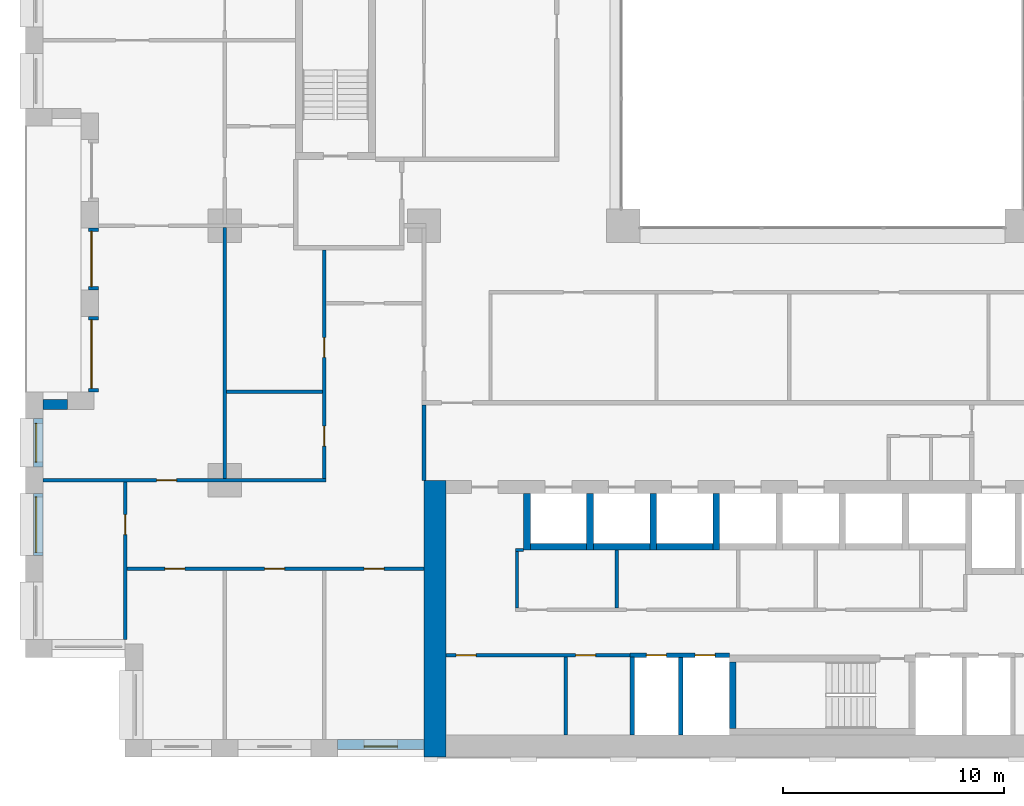
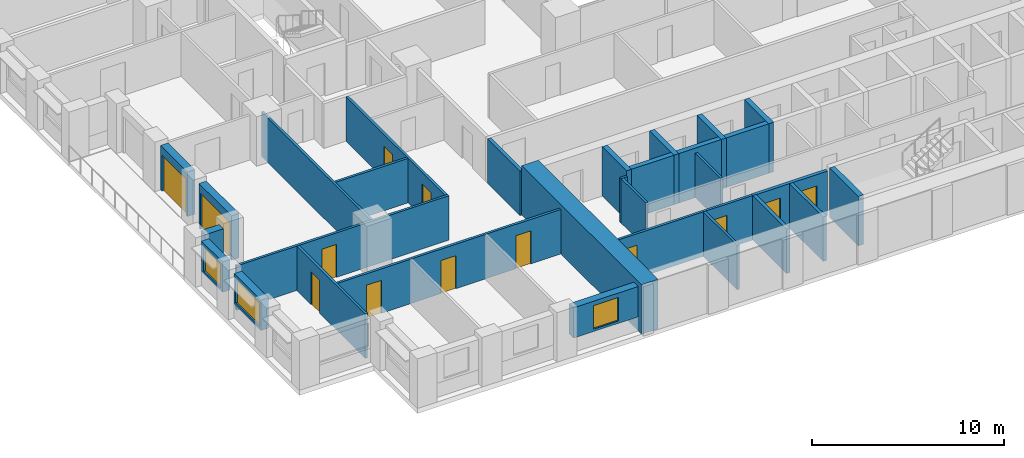
# One storey, part 9 of 19: 30 walls, 13 doors, 3 windows, 16 openings.
"""IFC4 building model written with IfcOpenShell, lengths in metres."""

from ifc_helpers import new_model, si_unit, direction, frame, frame_2d, origin, place, context, subcontext, project, spatial, rectangle, extrude, material, layer, layer_set, type_object, element, fill, save


model = new_model("IFC4")

# Units and contexts
model_context = context("Model", 3, precision=1e-05, world=origin(), true_north=direction((0.0, 1.0)))
body_context = subcontext(model_context, "Body", "Model", "MODEL_VIEW")
ifc_project = project(units=[si_unit("LENGTHUNIT", "METRE"), si_unit("AREAUNIT", "SQUARE_METRE"), si_unit("VOLUMEUNIT", "CUBIC_METRE"), si_unit("PLANEANGLEUNIT", "RADIAN"), si_unit("MASSUNIT", "GRAM", prefix="KILO")], contexts=[model_context])

# Site, building, storey
site_placement = place(None, origin())
site = spatial("IfcSite", under=ifc_project, at=site_placement, CompositionType="ELEMENT")
building_placement = place(site_placement, origin())
building = spatial("IfcBuilding", under=site, at=building_placement, Name="Brigalow Station Residences", CompositionType="ELEMENT")
storey_placement = place(building_placement, frame((0.0, 0.0, 32.10009765625)))
storey = spatial("IfcBuildingStorey", under=building, at=storey_placement, Name="L08", CompositionType="ELEMENT", Elevation=32.10009765625)

# Wall, opening, window
ifc_material_1 = material(Name="Clay brick masonry", Category="masonry")
ifc_layer_1 = layer(ifc_material_1, 0.449951171875)
ifc_layer_set_1 = layer_set([ifc_layer_1], Name="BRICK INFILL WALL 450")
wall_type_1 = type_object("IfcWallType", Name="BRICK INFILL WALL 450", PredefinedType="SOLIDWALL", material=ifc_layer_set_1)
wall_1_placement = place(storey_placement, frame((14.10009765625, 0.574951171875, 0.89990234375), z_axis=(0.0, 0.0, 1.0), x_axis=(1.0, 0.0, 0.0)))
wall_1 = element("IfcWall", 1, at=wall_1_placement, inside=storey, type_object=wall_type_1, Name="L08/ewall/W-L08-3", PredefinedType="SOLIDWALL", context=body_context, shape_type="SweptSolid", body=[
    extrude(rectangle(XDim=3.89990234375, YDim=0.449951171875, at=frame_2d((1.949951171875, 0.0))), origin(), (0.0, 0.0, 1.0), 1.929931640625),
])
opening_1_placement = place(wall_1_placement, frame((1.199951171875, 0.0, 0.14990234375)))
opening_1 = element("IfcOpeningElement", 2, at=opening_1_placement, cuts=wall_1, Name="Opening WT-1", PredefinedType="OPENING", context=body_context, shape_type="SweptSolid", body=[
    extrude(rectangle(XDim=1.5, YDim=1.5, at=frame_2d((0.75, 0.75))), frame((0.0, 0.23486328125, 0.0), z_axis=(0.0, -1.0, 0.0), x_axis=(1.0, 0.0, 0.0)), (0.0, 0.0, 1.0), 0.469970703125),
])
ifc_material_2 = material(Name="Anodised aluminium frame with double glazing", Category="aluminium")
window_type_1 = type_object("IfcWindowType", Name="WINDOW 1500x1500", PartitioningType="SINGLE_PANEL", PredefinedType="WINDOW", material=ifc_material_2)
window_1_placement = place(opening_1_placement, origin())
window_1 = element("IfcWindow", 3, at=window_1_placement, inside=storey, type_object=window_type_1, Name="L08/window/W-L08-3", OverallHeight=1.5, OverallWidth=1.5, PartitioningType="SINGLE_PANEL", PredefinedType="WINDOW", context=body_context, shape_type="SweptSolid", body=[
    extrude(rectangle(XDim=1.5, YDim=1.5, at=frame_2d((0.75, 0.75))), frame((0.0, -0.06494140625, 0.0), z_axis=(0.0, -1.0, 0.0), x_axis=(1.0, 0.0, 0.0)), (0.0, 0.0, 1.0), 0.06005859375),
])
fill(opening_1, window_1)

# Wall, opening, door
wall_2_placement = place(storey_placement, frame((3.074951171875, 23.89990234375, 0.0), z_axis=(0.0, 0.0, 1.0), x_axis=(0.0, -1.0, 0.0)))
wall_2 = element("IfcWall", 4, at=wall_2_placement, inside=storey, type_object=wall_type_1, Name="L08/ewall/W-L08-48", PredefinedType="SOLIDWALL", context=body_context, shape_type="SweptSolid", body=[
    extrude(rectangle(XDim=2.7998046875, YDim=0.449951171875, at=frame_2d((1.39990234375, 0.0))), origin(), (0.0, 0.0, 1.0), 2.829833984375),
])
opening_2_placement = place(wall_2_placement, frame((0.14990234375, 0.0, 0.0)))
opening_2 = element("IfcOpeningElement", 5, at=opening_2_placement, cuts=wall_2, Name="Opening D-B2500", PredefinedType="OPENING", context=body_context, shape_type="SweptSolid", body=[
    extrude(rectangle(XDim=2.5, YDim=2.300048828125, at=frame_2d((1.25, 1.14990234375))), frame((0.0, 0.23486328125, 0.0), z_axis=(0.0, -1.0, 0.0), x_axis=(1.0, 0.0, 0.0)), (0.0, 0.0, 1.0), 0.469970703125),
])
ifc_material_3 = material(Name="Anodised aluminium frame with double glazing", Category="aluminium")
door_type_1 = type_object("IfcDoorType", Name="BALCONY SLIDING DOOR 2500x2300", OperationType="SLIDING_TO_LEFT", PredefinedType="DOOR", material=ifc_material_3)
door_1_placement = place(opening_2_placement, origin())
door_1 = element("IfcDoor", 6, at=door_1_placement, inside=storey, type_object=door_type_1, Name="L08/balcony-door/W-L08-48", OperationType="SLIDING_TO_LEFT", OverallHeight=2.300048828125, OverallWidth=2.5, PredefinedType="DOOR", context=body_context, shape_type="SweptSolid", body=[
    extrude(rectangle(XDim=2.5, YDim=2.300048828125, at=frame_2d((1.25, 1.14990234375))), frame((0.0, -0.06982421875, 0.0), z_axis=(0.0, -1.0, 0.0), x_axis=(1.0, 0.0, 0.0)), (0.0, 0.0, 1.0), 0.050048828125),
])
fill(opening_2, door_1)

wall_3_placement = place(storey_placement, frame((3.074951171875, 19.89990234375, 0.0), z_axis=(0.0, 0.0, 1.0), x_axis=(0.0, -1.0, 0.0)))
wall_3 = element("IfcWall", 7, at=wall_3_placement, inside=storey, type_object=wall_type_1, Name="L08/ewall/W-L08-49", PredefinedType="SOLIDWALL", context=body_context, shape_type="SweptSolid", body=[
    extrude(rectangle(XDim=3.39990234375, YDim=0.449951171875, at=frame_2d((1.699951171875, 0.0))), origin(), (0.0, 0.0, 1.0), 2.829833984375),
])
opening_3_placement = place(wall_3_placement, frame((0.14990234375, 0.0, 0.0)))
opening_3 = element("IfcOpeningElement", 8, at=opening_3_placement, cuts=wall_3, Name="Opening D-B3100", PredefinedType="OPENING", context=body_context, shape_type="SweptSolid", body=[
    extrude(rectangle(XDim=3.10009765625, YDim=2.300048828125, at=frame_2d((1.550048828125, 1.14990234375))), frame((0.0, 0.23486328125, 0.0), z_axis=(0.0, -1.0, 0.0), x_axis=(1.0, 0.0, 0.0)), (0.0, 0.0, 1.0), 0.469970703125),
])
ifc_material_4 = material(Name="Anodised aluminium frame with double glazing", Category="aluminium")
door_type_2 = type_object("IfcDoorType", Name="BALCONY SLIDING DOOR 3100x2300", OperationType="SLIDING_TO_LEFT", PredefinedType="DOOR", material=ifc_material_4)
door_2_placement = place(opening_3_placement, origin())
door_2 = element("IfcDoor", 9, at=door_2_placement, inside=storey, type_object=door_type_2, Name="L08/balcony-door/W-L08-49", OperationType="SLIDING_TO_LEFT", OverallHeight=2.300048828125, OverallWidth=3.10009765625, PredefinedType="DOOR", context=body_context, shape_type="SweptSolid", body=[
    extrude(rectangle(XDim=3.10009765625, YDim=2.300048828125, at=frame_2d((1.550048828125, 1.14990234375))), frame((0.0, -0.06982421875, 0.0), z_axis=(0.0, -1.0, 0.0), x_axis=(1.0, 0.0, 0.0)), (0.0, 0.0, 1.0), 0.050048828125),
])
fill(opening_3, door_2)

# Wall
wall_4_placement = place(storey_placement, frame((1.89990234375, 15.925048828125, 0.89990234375), z_axis=(0.0, 0.0, 1.0), x_axis=(-1.0, 0.0, 0.0)))
element("IfcWall", 10, at=wall_4_placement, inside=storey, type_object=wall_type_1, Name="L08/ewall/W-L08-50", PredefinedType="SOLIDWALL", context=body_context, shape_type="SweptSolid", body=[
    extrude(rectangle(XDim=1.099853515625, YDim=0.449951171875, at=frame_2d((0.5498046875, 0.0))), origin(), (0.0, 0.0, 1.0), 1.929931640625),
])

# Wall, opening, window
wall_5_placement = place(storey_placement, frame((0.574951171875, 15.300048828125, 0.89990234375), z_axis=(0.0, 0.0, 1.0), x_axis=(0.0, -1.0, 0.0)))
wall_5 = element("IfcWall", 11, at=wall_5_placement, inside=storey, type_object=wall_type_1, Name="L08/ewall/W-L08-51", PredefinedType="SOLIDWALL", context=body_context, shape_type="SweptSolid", body=[
    extrude(rectangle(XDim=2.199951171875, YDim=0.449951171875, at=frame_2d((1.10009765625, 0.0))), origin(), (0.0, 0.0, 1.0), 1.929931640625),
])
opening_4_placement = place(wall_5_placement, frame((0.22509765625, 0.0, 0.14990234375)))
opening_4 = element("IfcOpeningElement", 12, at=opening_4_placement, cuts=wall_5, Name="Opening WT-4", PredefinedType="OPENING", context=body_context, shape_type="SweptSolid", body=[
    extrude(rectangle(XDim=1.75, YDim=1.5, at=frame_2d((0.875, 0.75))), frame((0.0, 0.23486328125, 0.0), z_axis=(0.0, -1.0, 0.0), x_axis=(1.0, 0.0, 0.0)), (0.0, 0.0, 1.0), 0.469970703125),
])
ifc_material_5 = material(Name="Anodised aluminium frame with double glazing", Category="aluminium")
window_type_2 = type_object("IfcWindowType", Name="WINDOW 1750x1500", PartitioningType="SINGLE_PANEL", PredefinedType="WINDOW", material=ifc_material_5)
window_2_placement = place(opening_4_placement, origin())
window_2 = element("IfcWindow", 13, at=window_2_placement, inside=storey, type_object=window_type_2, Name="L08/window/W-L08-51", OverallHeight=1.5, OverallWidth=1.75, PartitioningType="SINGLE_PANEL", PredefinedType="WINDOW", context=body_context, shape_type="SweptSolid", body=[
    extrude(rectangle(XDim=1.75, YDim=1.5, at=frame_2d((0.875, 0.75))), frame((0.0, -0.06494140625, 0.0), z_axis=(0.0, -1.0, 0.0), x_axis=(1.0, 0.0, 0.0)), (0.0, 0.0, 1.0), 0.06005859375),
])
fill(opening_4, window_2)

wall_6_placement = place(storey_placement, frame((0.574951171875, 11.89990234375, 0.89990234375), z_axis=(0.0, 0.0, 1.0), x_axis=(0.0, -1.0, 0.0)))
wall_6 = element("IfcWall", 14, at=wall_6_placement, inside=storey, type_object=wall_type_1, Name="L08/ewall/W-L08-52", PredefinedType="SOLIDWALL", context=body_context, shape_type="SweptSolid", body=[
    extrude(rectangle(XDim=2.7998046875, YDim=0.449951171875, at=frame_2d((1.39990234375, 0.0))), origin(), (0.0, 0.0, 1.0), 1.929931640625),
])
opening_5_placement = place(wall_6_placement, frame((0.14990234375, 0.0, 0.14990234375)))
opening_5 = element("IfcOpeningElement", 15, at=opening_5_placement, cuts=wall_6, Name="Opening WT-5", PredefinedType="OPENING", context=body_context, shape_type="SweptSolid", body=[
    extrude(rectangle(XDim=2.5, YDim=1.5, at=frame_2d((1.25, 0.75))), frame((0.0, 0.23486328125, 0.0), z_axis=(0.0, -1.0, 0.0), x_axis=(1.0, 0.0, 0.0)), (0.0, 0.0, 1.0), 0.469970703125),
])
ifc_material_6 = material(Name="Anodised aluminium frame with double glazing", Category="aluminium")
window_type_3 = type_object("IfcWindowType", Name="WINDOW 2500x1500", PartitioningType="SINGLE_PANEL", PredefinedType="WINDOW", material=ifc_material_6)
window_3_placement = place(opening_5_placement, origin())
window_3 = element("IfcWindow", 16, at=window_3_placement, inside=storey, type_object=window_type_3, Name="L08/window/W-L08-52", OverallHeight=1.5, OverallWidth=2.5, PartitioningType="SINGLE_PANEL", PredefinedType="WINDOW", context=body_context, shape_type="SweptSolid", body=[
    extrude(rectangle(XDim=2.5, YDim=1.5, at=frame_2d((1.25, 0.75))), frame((0.0, -0.06494140625, 0.0), z_axis=(0.0, -1.0, 0.0), x_axis=(1.0, 0.0, 0.0)), (0.0, 0.0, 1.0), 0.06005859375),
])
fill(opening_5, window_3)

# Walls
ifc_material_7 = material(Name="Concrete C80", Category="concrete")
ifc_layer_2 = layer(ifc_material_7, 1.0)
ifc_layer_set_2 = layer_set([ifc_layer_2], Name="CORE SHEAR WALL 1000 C80")
wall_type_2 = type_object("IfcWallType", Name="CORE SHEAR WALL 1000 C80", PredefinedType="SHEAR", material=ifc_layer_set_2)
wall_7_placement = place(storey_placement, frame((18.5, 0.0, 0.0), z_axis=(0.0, 0.0, 1.0), x_axis=(0.0, 1.0, 0.0)))
element("IfcWall", 17, at=wall_7_placement, inside=storey, type_object=wall_type_2, Name="CORE WALL OUT-W L08", PredefinedType="SHEAR", context=body_context, shape_type="SweptSolid", body=[
    extrude(rectangle(XDim=12.5, YDim=1.0, at=frame_2d((6.25, 0.0))), origin(), (0.0, 0.0, 1.0), 3.14990234375),
])
ifc_material_8 = material(Name="Concrete C80", Category="concrete")
ifc_layer_3 = layer(ifc_material_8, 0.300048828125)
ifc_layer_set_3 = layer_set([ifc_layer_3], Name="CORE SHEAR WALL 300 C80")
wall_type_3 = type_object("IfcWallType", Name="CORE SHEAR WALL 300 C80", PredefinedType="SHEAR", material=ifc_layer_set_3)
wall_8_placement = place(storey_placement, frame((22.800048828125, 9.5, 0.0), z_axis=(0.0, 0.0, 1.0), x_axis=(1.0, 0.0, 0.0)))
element("IfcWall", 18, at=wall_8_placement, inside=storey, type_object=wall_type_3, Name="CORE WALL SH-P1-S L08", PredefinedType="SHEAR", context=body_context, shape_type="SweptSolid", body=[
    extrude(rectangle(XDim=2.550048828125, YDim=0.300048828125, at=frame_2d((1.27490234375, 0.0))), origin(), (0.0, 0.0, 1.0), 3.14990234375),
])
wall_9_placement = place(storey_placement, frame((22.64990234375, 9.35009765625, 0.0), z_axis=(0.0, 0.0, 1.0), x_axis=(0.0, 1.0, 0.0)))
element("IfcWall", 19, at=wall_9_placement, inside=storey, type_object=wall_type_3, Name="CORE WALL SH-P1-W L08", PredefinedType="SHEAR", context=body_context, shape_type="SweptSolid", body=[
    extrude(rectangle(XDim=2.5498046875, YDim=0.300048828125, at=frame_2d((1.27490234375, 0.0))), origin(), (0.0, 0.0, 1.0), 3.14990234375),
])
wall_10_placement = place(storey_placement, frame((25.64990234375, 9.5, 0.0), z_axis=(0.0, 0.0, 1.0), x_axis=(1.0, 0.0, 0.0)))
element("IfcWall", 20, at=wall_10_placement, inside=storey, type_object=wall_type_3, Name="CORE WALL SH-P2-S L08", PredefinedType="SHEAR", context=body_context, shape_type="SweptSolid", body=[
    extrude(rectangle(XDim=2.550048828125, YDim=0.300048828125, at=frame_2d((1.27490234375, 0.0))), origin(), (0.0, 0.0, 1.0), 3.14990234375),
])
wall_11_placement = place(storey_placement, frame((25.5, 9.35009765625, 0.0), z_axis=(0.0, 0.0, 1.0), x_axis=(0.0, 1.0, 0.0)))
element("IfcWall", 21, at=wall_11_placement, inside=storey, type_object=wall_type_3, Name="CORE WALL SH-P2-W L08", PredefinedType="SHEAR", context=body_context, shape_type="SweptSolid", body=[
    extrude(rectangle(XDim=2.5498046875, YDim=0.300048828125, at=frame_2d((1.27490234375, 0.0))), origin(), (0.0, 0.0, 1.0), 3.14990234375),
])
wall_12_placement = place(storey_placement, frame((28.5, 9.5, 0.0), z_axis=(0.0, 0.0, 1.0), x_axis=(1.0, 0.0, 0.0)))
element("IfcWall", 22, at=wall_12_placement, inside=storey, type_object=wall_type_3, Name="CORE WALL SH-P3-S L08", PredefinedType="SHEAR", context=body_context, shape_type="SweptSolid", body=[
    extrude(rectangle(XDim=2.550048828125, YDim=0.300048828125, at=frame_2d((1.27490234375, 0.0))), origin(), (0.0, 0.0, 1.0), 3.14990234375),
])
for number, where, z_axis, x_axis, name in (
    (23, (28.35009765625, 9.35009765625, 0.0), (0.0, 0.0, 1.0), (0.0, 1.0, 0.0), "CORE WALL SH-P3-W L08"),
    (24, (31.199951171875, 9.35009765625, 0.0), (0.0, 0.0, 1.0), (0.0, 1.0, 0.0), "CORE WALL SH-P4-W L08"),
):
    element("IfcWall", number, at=place(storey_placement, frame(where, z_axis=z_axis, x_axis=x_axis)), inside=storey, type_object=wall_type_3, Name=name, PredefinedType="SHEAR", context=body_context, shape_type="SweptSolid", body=[
        extrude(rectangle(XDim=2.5498046875, YDim=0.300048828125, at=frame_2d((1.27490234375, 0.0))), origin(), (0.0, 0.0, 1.0), 3.14990234375),
    ])
wall_13_placement = place(storey_placement, frame((31.949951171875, 1.300048828125, 0.0), z_axis=(0.0, 0.0, 1.0), x_axis=(0.0, 1.0, 0.0)))
element("IfcWall", 25, at=wall_13_placement, inside=storey, type_object=wall_type_3, Name="CORE WALL ST-S2-W L08", PredefinedType="SHEAR", context=body_context, shape_type="SweptSolid", body=[
    extrude(rectangle(XDim=3.0, YDim=0.300048828125, at=frame_2d((1.5, 0.0))), origin(), (0.0, 0.0, 1.0), 3.14990234375),
])

# Wall, openings, doors
ifc_material_9 = material(Name="Concrete blockwork", Category="masonry")
ifc_layer_4 = layer(ifc_material_9, 0.199951171875)
ifc_layer_set_4 = layer_set([ifc_layer_4], Name="FIRE RATED CORE PARTITION 200")
wall_type_4 = type_object("IfcWallType", Name="FIRE RATED CORE PARTITION 200", PredefinedType="PARTITIONING", material=ifc_layer_set_4)
wall_14_placement = place(storey_placement, frame((27.300048828125, 4.60009765625, 0.0), z_axis=(0.0, 0.0, 1.0), x_axis=(1.0, 0.0, 0.0)))
wall_14 = element("IfcWall", 26, at=wall_14_placement, inside=storey, type_object=wall_type_4, Name="PW-5017", PredefinedType="PARTITIONING", context=body_context, shape_type="SweptSolid", body=[
    extrude(rectangle(XDim=4.5, YDim=0.199951171875, at=frame_2d((2.25, 0.0))), origin(), (0.0, 0.0, 1.0), 2.829833984375),
])
opening_6_placement = place(wall_14_placement, frame((0.75, 0.0, 0.0)))
opening_6 = element("IfcOpeningElement", 27, at=opening_6_placement, cuts=wall_14, Name="Opening D-5007", PredefinedType="OPENING", context=body_context, shape_type="SweptSolid", body=[
    extrude(rectangle(XDim=0.89990234375, YDim=2.10009765625, at=frame_2d((0.449951171875, 1.050048828125))), frame((0.0, 0.10986328125, 0.0), z_axis=(0.0, -1.0, 0.0), x_axis=(1.0, 0.0, 0.0)), (0.0, 0.0, 1.0), 0.219970703125),
])
opening_7_placement = place(wall_14_placement, frame((2.949951171875, 0.0, 0.0)))
opening_7 = element("IfcOpeningElement", 28, at=opening_7_placement, cuts=wall_14, Name="Opening D-5008", PredefinedType="OPENING", context=body_context, shape_type="SweptSolid", body=[
    extrude(rectangle(XDim=0.89990234375, YDim=2.10009765625, at=frame_2d((0.449951171875, 1.050048828125))), frame((0.0, 0.10986328125, 0.0), z_axis=(0.0, -1.0, 0.0), x_axis=(1.0, 0.0, 0.0)), (0.0, 0.0, 1.0), 0.219970703125),
])
ifc_material_10 = material(Name="Steel fire door leaf in steel frame", Category="steel")
door_type_3 = type_object("IfcDoorType", Name="RISER ACCESS DOOR 900 x 2100 FD120", OperationType="SINGLE_SWING_LEFT", PredefinedType="DOOR", material=ifc_material_10)
door_3_placement = place(opening_6_placement, frame((0.89990234375, 0.0, 0.0), z_axis=(0.0, 0.0, 1.0), x_axis=(-1.0, 0.0, 0.0)))
door_3 = element("IfcDoor", 29, at=door_3_placement, inside=storey, type_object=door_type_3, Name="D-5007", OperationType="SINGLE_SWING_LEFT", OverallHeight=2.10009765625, OverallWidth=0.89990234375, PredefinedType="DOOR", context=body_context, shape_type="SweptSolid", body=[
    extrude(rectangle(XDim=0.89990234375, YDim=2.10009765625, at=frame_2d((0.449951171875, 1.050048828125))), frame((0.0, 0.02490234375, 0.0), z_axis=(0.0, -1.0, 0.0), x_axis=(1.0, 0.0, 0.0)), (0.0, 0.0, 1.0), 0.050048828125),
])
fill(opening_6, door_3)
door_4_placement = place(opening_7_placement, frame((0.89990234375, 0.0, 0.0), z_axis=(0.0, 0.0, 1.0), x_axis=(-1.0, 0.0, 0.0)))
door_4 = element("IfcDoor", 30, at=door_4_placement, inside=storey, type_object=door_type_3, Name="D-5008", OperationType="SINGLE_SWING_RIGHT", OverallHeight=2.10009765625, OverallWidth=0.89990234375, PredefinedType="DOOR", context=body_context, shape_type="SweptSolid", body=[
    extrude(rectangle(XDim=0.89990234375, YDim=2.10009765625, at=frame_2d((0.449951171875, 1.050048828125))), frame((0.0, 0.02490234375, 0.0), z_axis=(0.0, -1.0, 0.0), x_axis=(1.0, 0.0, 0.0)), (0.0, 0.0, 1.0), 0.050048828125),
])
fill(opening_7, door_4)

# Walls
wall_15_placement = place(storey_placement, frame((27.39990234375, 1.0, 0.0), z_axis=(0.0, 0.0, 1.0), x_axis=(0.0, 1.0, 0.0)))
element("IfcWall", 31, at=wall_15_placement, inside=storey, type_object=wall_type_4, Name="PW-5027", PredefinedType="PARTITIONING", context=body_context, shape_type="SweptSolid", body=[
    extrude(rectangle(XDim=3.52490234375, YDim=0.199951171875, at=frame_2d((1.762451171875, 0.0))), origin(), (0.0, 0.0, 1.0), 2.829833984375),
])
wall_16_placement = place(storey_placement, frame((29.60009765625, 1.0, 0.0), z_axis=(0.0, 0.0, 1.0), x_axis=(0.0, 1.0, 0.0)))
element("IfcWall", 32, at=wall_16_placement, inside=storey, type_object=wall_type_4, Name="PW-5006", PredefinedType="PARTITIONING", context=body_context, shape_type="SweptSolid", body=[
    extrude(rectangle(XDim=3.5, YDim=0.199951171875, at=frame_2d((1.75, 0.0))), origin(), (0.0, 0.0, 1.0), 2.829833984375),
])
wall_17_placement = place(storey_placement, frame((18.0, 12.5, 0.0), z_axis=(0.0, 0.0, 1.0), x_axis=(0.0, 1.0, 0.0)))
element("IfcWall", 33, at=wall_17_placement, inside=storey, type_object=wall_type_4, Name="PW-5013", PredefinedType="PARTITIONING", context=body_context, shape_type="SweptSolid", body=[
    extrude(rectangle(XDim=3.39990234375, YDim=0.199951171875, at=frame_2d((1.699951171875, 0.0))), origin(), (0.0, 0.0, 1.0), 2.829833984375),
])

# Wall, opening, door
ifc_material_11 = material(Name="Plasterboard on steel stud partition", Category="steel")
ifc_layer_5 = layer(ifc_material_11, 0.14990234375)
ifc_layer_set_5 = layer_set([ifc_layer_5], Name="FLAT PARTITION 150")
wall_type_5 = type_object("IfcWallType", Name="FLAT PARTITION 150", PredefinedType="PARTITIONING", material=ifc_layer_set_5)
wall_18_placement = place(storey_placement, frame((0.800048828125, 12.5, 0.0), z_axis=(0.0, 0.0, 1.0), x_axis=(1.0, 0.0, 0.0)))
wall_18 = element("IfcWall", 34, at=wall_18_placement, inside=storey, type_object=wall_type_5, Name="PW-1B10", PredefinedType="PARTITIONING", context=body_context, shape_type="SweptSolid", body=[
    extrude(rectangle(XDim=12.77490234375, YDim=0.14990234375, at=frame_2d((6.387451171875, 0.0))), origin(), (0.0, 0.0, 1.0), 2.829833984375),
])
opening_8_placement = place(wall_18_placement, frame((5.125, 0.0, 0.0)))
opening_8 = element("IfcOpeningElement", 35, at=opening_8_placement, cuts=wall_18, Name="Opening D-1B12", PredefinedType="OPENING", context=body_context, shape_type="SweptSolid", body=[
    extrude(rectangle(XDim=0.89990234375, YDim=2.10009765625, at=frame_2d((0.449951171875, 1.050048828125))), frame((0.0, 0.0849609375, 0.0), z_axis=(0.0, -1.0, 0.0), x_axis=(1.0, 0.0, 0.0)), (0.0, 0.0, 1.0), 0.169921875),
])
ifc_material_12 = material(Name="Solid-core timber door leaf", Category="wood")
door_type_4 = type_object("IfcDoorType", Name="INTERNAL DOOR 900 x 2100", OperationType="SINGLE_SWING_LEFT", PredefinedType="DOOR", material=ifc_material_12)
door_5_placement = place(opening_8_placement, origin())
door_5 = element("IfcDoor", 36, at=door_5_placement, inside=storey, type_object=door_type_4, Name="D-1B12", OperationType="SINGLE_SWING_RIGHT", OverallHeight=2.10009765625, OverallWidth=0.89990234375, PredefinedType="DOOR", context=body_context, shape_type="SweptSolid", body=[
    extrude(rectangle(XDim=0.89990234375, YDim=2.10009765625, at=frame_2d((0.449951171875, 1.050048828125))), frame((0.0, 0.02490234375, 0.0), z_axis=(0.0, -1.0, 0.0), x_axis=(1.0, 0.0, 0.0)), (0.0, 0.0, 1.0), 0.050048828125),
])
fill(opening_8, door_5)

# Wall, openings, doors
wall_19_placement = place(storey_placement, frame((4.574951171875, 8.5, 0.0), z_axis=(0.0, 0.0, 1.0), x_axis=(1.0, 0.0, 0.0)))
wall_19 = element("IfcWall", 37, at=wall_19_placement, inside=storey, type_object=wall_type_5, Name="PW-1B12", PredefinedType="PARTITIONING", context=body_context, shape_type="SweptSolid", body=[
    extrude(rectangle(XDim=13.425048828125, YDim=0.14990234375, at=frame_2d((6.71240234375, 0.0))), origin(), (0.0, 0.0, 1.0), 2.829833984375),
])
opening_9_placement = place(wall_19_placement, frame((1.72509765625, 0.0, 0.0)))
opening_9 = element("IfcOpeningElement", 38, at=opening_9_placement, cuts=wall_19, Name="Opening D-1B04", PredefinedType="OPENING", context=body_context, shape_type="SweptSolid", body=[
    extrude(rectangle(XDim=0.89990234375, YDim=2.10009765625, at=frame_2d((0.449951171875, 1.050048828125))), frame((0.0, 0.0849609375, 0.0), z_axis=(0.0, -1.0, 0.0), x_axis=(1.0, 0.0, 0.0)), (0.0, 0.0, 1.0), 0.169921875),
])
opening_10_placement = place(wall_19_placement, frame((6.22509765625, 0.0, 0.0)))
opening_10 = element("IfcOpeningElement", 39, at=opening_10_placement, cuts=wall_19, Name="Opening D-1B05", PredefinedType="OPENING", context=body_context, shape_type="SweptSolid", body=[
    extrude(rectangle(XDim=0.89990234375, YDim=2.10009765625, at=frame_2d((0.449951171875, 1.050048828125))), frame((0.0, 0.0849609375, 0.0), z_axis=(0.0, -1.0, 0.0), x_axis=(1.0, 0.0, 0.0)), (0.0, 0.0, 1.0), 0.169921875),
])
opening_11_placement = place(wall_19_placement, frame((10.72509765625, 0.0, 0.0)))
opening_11 = element("IfcOpeningElement", 40, at=opening_11_placement, cuts=wall_19, Name="Opening D-1B06", PredefinedType="OPENING", context=body_context, shape_type="SweptSolid", body=[
    extrude(rectangle(XDim=0.89990234375, YDim=2.10009765625, at=frame_2d((0.449951171875, 1.050048828125))), frame((0.0, 0.0849609375, 0.0), z_axis=(0.0, -1.0, 0.0), x_axis=(1.0, 0.0, 0.0)), (0.0, 0.0, 1.0), 0.169921875),
])
door_6_placement = place(opening_9_placement, frame((0.89990234375, 0.0, 0.0), z_axis=(0.0, 0.0, 1.0), x_axis=(-1.0, 0.0, 0.0)))
door_6 = element("IfcDoor", 41, at=door_6_placement, inside=storey, type_object=door_type_4, Name="D-1B04", OperationType="SINGLE_SWING_RIGHT", OverallHeight=2.10009765625, OverallWidth=0.89990234375, PredefinedType="DOOR", context=body_context, shape_type="SweptSolid", body=[
    extrude(rectangle(XDim=0.89990234375, YDim=2.10009765625, at=frame_2d((0.449951171875, 1.050048828125))), frame((0.0, 0.02490234375, 0.0), z_axis=(0.0, -1.0, 0.0), x_axis=(1.0, 0.0, 0.0)), (0.0, 0.0, 1.0), 0.050048828125),
])
fill(opening_9, door_6)
door_7_placement = place(opening_10_placement, frame((0.89990234375, 0.0, 0.0), z_axis=(0.0, 0.0, 1.0), x_axis=(-1.0, 0.0, 0.0)))
door_7 = element("IfcDoor", 42, at=door_7_placement, inside=storey, type_object=door_type_4, Name="D-1B05", OperationType="SINGLE_SWING_RIGHT", OverallHeight=2.10009765625, OverallWidth=0.89990234375, PredefinedType="DOOR", context=body_context, shape_type="SweptSolid", body=[
    extrude(rectangle(XDim=0.89990234375, YDim=2.10009765625, at=frame_2d((0.449951171875, 1.050048828125))), frame((0.0, 0.02490234375, 0.0), z_axis=(0.0, -1.0, 0.0), x_axis=(1.0, 0.0, 0.0)), (0.0, 0.0, 1.0), 0.050048828125),
])
fill(opening_10, door_7)
door_8_placement = place(opening_11_placement, frame((0.89990234375, 0.0, 0.0), z_axis=(0.0, 0.0, 1.0), x_axis=(-1.0, 0.0, 0.0)))
door_8 = element("IfcDoor", 43, at=door_8_placement, inside=storey, type_object=door_type_4, Name="D-1B06", OperationType="SINGLE_SWING_RIGHT", OverallHeight=2.10009765625, OverallWidth=0.89990234375, PredefinedType="DOOR", context=body_context, shape_type="SweptSolid", body=[
    extrude(rectangle(XDim=0.89990234375, YDim=2.10009765625, at=frame_2d((0.449951171875, 1.050048828125))), frame((0.0, 0.02490234375, 0.0), z_axis=(0.0, -1.0, 0.0), x_axis=(1.0, 0.0, 0.0)), (0.0, 0.0, 1.0), 0.050048828125),
])
fill(opening_11, door_8)

# Wall
wall_20_placement = place(storey_placement, frame((9.074951171875, 16.5, 0.0), z_axis=(0.0, 0.0, 1.0), x_axis=(1.0, 0.0, 0.0)))
element("IfcWall", 44, at=wall_20_placement, inside=storey, type_object=wall_type_5, Name="PW-1B15", PredefinedType="PARTITIONING", context=body_context, shape_type="SweptSolid", body=[
    extrude(rectangle(XDim=4.35009765625, YDim=0.14990234375, at=frame_2d((2.175048828125, 0.0))), origin(), (0.0, 0.0, 1.0), 2.829833984375),
])

# Wall, opening, door
wall_21_placement = place(storey_placement, frame((4.5, 5.300048828125, 0.0), z_axis=(0.0, 0.0, 1.0), x_axis=(0.0, 1.0, 0.0)))
wall_21 = element("IfcWall", 45, at=wall_21_placement, inside=storey, type_object=wall_type_5, Name="PW-1B49", PredefinedType="PARTITIONING", context=body_context, shape_type="SweptSolid", body=[
    extrude(rectangle(XDim=7.125, YDim=0.14990234375, at=frame_2d((3.5625, 0.0))), origin(), (0.0, 0.0, 1.0), 2.829833984375),
])
opening_12_placement = place(wall_21_placement, frame((4.75, 0.0, 0.0)))
opening_12 = element("IfcOpeningElement", 46, at=opening_12_placement, cuts=wall_21, Name="Opening D-1B10", PredefinedType="OPENING", context=body_context, shape_type="SweptSolid", body=[
    extrude(rectangle(XDim=0.89990234375, YDim=2.10009765625, at=frame_2d((0.449951171875, 1.050048828125))), frame((0.0, 0.0849609375, 0.0), z_axis=(0.0, -1.0, 0.0), x_axis=(1.0, 0.0, 0.0)), (0.0, 0.0, 1.0), 0.169921875),
])
door_9_placement = place(opening_12_placement, origin())
door_9 = element("IfcDoor", 47, at=door_9_placement, inside=storey, type_object=door_type_4, Name="D-1B10", OperationType="SINGLE_SWING_RIGHT", OverallHeight=2.10009765625, OverallWidth=0.89990234375, PredefinedType="DOOR", context=body_context, shape_type="SweptSolid", body=[
    extrude(rectangle(XDim=0.89990234375, YDim=2.10009765625, at=frame_2d((0.449951171875, 1.050048828125))), frame((0.0, 0.02490234375, 0.0), z_axis=(0.0, -1.0, 0.0), x_axis=(1.0, 0.0, 0.0)), (0.0, 0.0, 1.0), 0.050048828125),
])
fill(opening_12, door_9)

# Wall
wall_22_placement = place(storey_placement, frame((9.0, 12.574951171875, 0.0), z_axis=(0.0, 0.0, 1.0), x_axis=(0.0, 1.0, 0.0)))
element("IfcWall", 48, at=wall_22_placement, inside=storey, type_object=wall_type_5, Name="PW-1B51", PredefinedType="PARTITIONING", context=body_context, shape_type="SweptSolid", body=[
    extrude(rectangle(XDim=11.35009765625, YDim=0.14990234375, at=frame_2d((5.675048828125, 0.0))), origin(), (0.0, 0.0, 1.0), 2.829833984375),
])

# Wall, openings, doors
wall_23_placement = place(storey_placement, frame((13.5, 12.574951171875, 0.0), z_axis=(0.0, 0.0, 1.0), x_axis=(0.0, 1.0, 0.0)))
wall_23 = element("IfcWall", 49, at=wall_23_placement, inside=storey, type_object=wall_type_5, Name="PW-1B57", PredefinedType="PARTITIONING", context=body_context, shape_type="SweptSolid", body=[
    extrude(rectangle(XDim=10.324951171875, YDim=0.14990234375, at=frame_2d((5.16259765625, 0.0))), origin(), (0.0, 0.0, 1.0), 2.829833984375),
])
opening_13_placement = place(wall_23_placement, frame((1.47509765625, 0.0, 0.0)))
opening_13 = element("IfcOpeningElement", 50, at=opening_13_placement, cuts=wall_23, Name="Opening D-1B03", PredefinedType="OPENING", context=body_context, shape_type="SweptSolid", body=[
    extrude(rectangle(XDim=0.89990234375, YDim=2.10009765625, at=frame_2d((0.449951171875, 1.050048828125))), frame((0.0, 0.0849609375, 0.0), z_axis=(0.0, -1.0, 0.0), x_axis=(1.0, 0.0, 0.0)), (0.0, 0.0, 1.0), 0.169921875),
])
opening_14_placement = place(wall_23_placement, frame((5.47509765625, 0.0, 0.0)))
opening_14 = element("IfcOpeningElement", 51, at=opening_14_placement, cuts=wall_23, Name="Opening D-1B11", PredefinedType="OPENING", context=body_context, shape_type="SweptSolid", body=[
    extrude(rectangle(XDim=0.89990234375, YDim=2.10009765625, at=frame_2d((0.449951171875, 1.050048828125))), frame((0.0, 0.0849609375, 0.0), z_axis=(0.0, -1.0, 0.0), x_axis=(1.0, 0.0, 0.0)), (0.0, 0.0, 1.0), 0.169921875),
])
door_10_placement = place(opening_13_placement, origin())
door_10 = element("IfcDoor", 52, at=door_10_placement, inside=storey, type_object=door_type_4, Name="D-1B03", OperationType="SINGLE_SWING_RIGHT", OverallHeight=2.10009765625, OverallWidth=0.89990234375, PredefinedType="DOOR", context=body_context, shape_type="SweptSolid", body=[
    extrude(rectangle(XDim=0.89990234375, YDim=2.10009765625, at=frame_2d((0.449951171875, 1.050048828125))), frame((0.0, 0.02490234375, 0.0), z_axis=(0.0, -1.0, 0.0), x_axis=(1.0, 0.0, 0.0)), (0.0, 0.0, 1.0), 0.050048828125),
])
fill(opening_13, door_10)
door_11_placement = place(opening_14_placement, origin())
door_11 = element("IfcDoor", 53, at=door_11_placement, inside=storey, type_object=door_type_4, Name="D-1B11", OperationType="SINGLE_SWING_LEFT", OverallHeight=2.10009765625, OverallWidth=0.89990234375, PredefinedType="DOOR", context=body_context, shape_type="SweptSolid", body=[
    extrude(rectangle(XDim=0.89990234375, YDim=2.10009765625, at=frame_2d((0.449951171875, 1.050048828125))), frame((0.0, 0.02490234375, 0.0), z_axis=(0.0, -1.0, 0.0), x_axis=(1.0, 0.0, 0.0)), (0.0, 0.0, 1.0), 0.050048828125),
])
fill(opening_14, door_11)

ifc_material_13 = material(Name="Plasterboard on steel studs", Category="steel")
ifc_layer_6 = layer(ifc_material_13, 0.14990234375)
ifc_layer_set_6 = layer_set([ifc_layer_6], Name="SERVICE ROOM PARTITION 150")
wall_type_6 = type_object("IfcWallType", Name="SERVICE ROOM PARTITION 150", PredefinedType="PARTITIONING", material=ifc_layer_set_6)
wall_24_placement = place(storey_placement, frame((19.0, 4.60009765625, 0.0), z_axis=(0.0, 0.0, 1.0), x_axis=(1.0, 0.0, 0.0)))
wall_24 = element("IfcWall", 54, at=wall_24_placement, inside=storey, type_object=wall_type_6, Name="PW-5019", PredefinedType="PARTITIONING", context=body_context, shape_type="SweptSolid", body=[
    extrude(rectangle(XDim=8.300048828125, YDim=0.14990234375, at=frame_2d((4.14990234375, 0.0))), origin(), (0.0, 0.0, 1.0), 2.829833984375),
])
opening_15_placement = place(wall_24_placement, frame((0.449951171875, 0.0, 0.0)))
opening_15 = element("IfcOpeningElement", 55, at=opening_15_placement, cuts=wall_24, Name="Opening D-5025", PredefinedType="OPENING", context=body_context, shape_type="SweptSolid", body=[
    extrude(rectangle(XDim=0.89990234375, YDim=2.10009765625, at=frame_2d((0.449951171875, 1.050048828125))), frame((0.0, 0.0849609375, 0.0), z_axis=(0.0, -1.0, 0.0), x_axis=(1.0, 0.0, 0.0)), (0.0, 0.0, 1.0), 0.169921875),
])
opening_16_placement = place(wall_24_placement, frame((5.85009765625, 0.0, 0.0)))
opening_16 = element("IfcOpeningElement", 56, at=opening_16_placement, cuts=wall_24, Name="Opening D-5035", PredefinedType="OPENING", context=body_context, shape_type="SweptSolid", body=[
    extrude(rectangle(XDim=0.89990234375, YDim=2.10009765625, at=frame_2d((0.449951171875, 1.050048828125))), frame((0.0, 0.0849609375, 0.0), z_axis=(0.0, -1.0, 0.0), x_axis=(1.0, 0.0, 0.0)), (0.0, 0.0, 1.0), 0.169921875),
])
ifc_material_14 = material(Name="Steel door leaf in steel frame", Category="steel")
door_type_5 = type_object("IfcDoorType", Name="SERVICE ROOM DOOR 900 x 2100 FD60", OperationType="SINGLE_SWING_LEFT", PredefinedType="DOOR", material=ifc_material_14)
door_12_placement = place(opening_15_placement, frame((0.89990234375, 0.0, 0.0), z_axis=(0.0, 0.0, 1.0), x_axis=(-1.0, 0.0, 0.0)))
door_12 = element("IfcDoor", 57, at=door_12_placement, inside=storey, type_object=door_type_5, Name="D-5025", OperationType="SINGLE_SWING_RIGHT", OverallHeight=2.10009765625, OverallWidth=0.89990234375, PredefinedType="DOOR", context=body_context, shape_type="SweptSolid", body=[
    extrude(rectangle(XDim=0.89990234375, YDim=2.10009765625, at=frame_2d((0.449951171875, 1.050048828125))), frame((0.0, 0.02490234375, 0.0), z_axis=(0.0, -1.0, 0.0), x_axis=(1.0, 0.0, 0.0)), (0.0, 0.0, 1.0), 0.050048828125),
])
fill(opening_15, door_12)
door_13_placement = place(opening_16_placement, frame((0.89990234375, 0.0, 0.0), z_axis=(0.0, 0.0, 1.0), x_axis=(-1.0, 0.0, 0.0)))
door_13 = element("IfcDoor", 58, at=door_13_placement, inside=storey, type_object=door_type_5, Name="D-5035", OperationType="SINGLE_SWING_RIGHT", OverallHeight=2.10009765625, OverallWidth=0.89990234375, PredefinedType="DOOR", context=body_context, shape_type="SweptSolid", body=[
    extrude(rectangle(XDim=0.89990234375, YDim=2.10009765625, at=frame_2d((0.449951171875, 1.050048828125))), frame((0.0, 0.02490234375, 0.0), z_axis=(0.0, -1.0, 0.0), x_axis=(1.0, 0.0, 0.0)), (0.0, 0.0, 1.0), 0.050048828125),
])
fill(opening_16, door_13)

# Walls
wall_25_placement = place(storey_placement, frame((22.125, 9.35009765625, 0.0), z_axis=(0.0, 0.0, 1.0), x_axis=(1.0, 0.0, 0.0)))
element("IfcWall", 59, at=wall_25_placement, inside=storey, type_object=wall_type_6, Name="PW-5022", PredefinedType="PARTITIONING", context=body_context, shape_type="SweptSolid", body=[
    extrude(rectangle(XDim=0.375, YDim=0.14990234375, at=frame_2d((0.1875, 0.0))), origin(), (0.0, 0.0, 1.0), 2.829833984375),
])
wall_26_placement = place(storey_placement, frame((24.39990234375, 1.0, 0.0), z_axis=(0.0, 0.0, 1.0), x_axis=(0.0, 1.0, 0.0)))
element("IfcWall", 60, at=wall_26_placement, inside=storey, type_object=wall_type_6, Name="PW-5040", PredefinedType="PARTITIONING", context=body_context, shape_type="SweptSolid", body=[
    extrude(rectangle(XDim=3.52490234375, YDim=0.14990234375, at=frame_2d((1.762451171875, 0.0))), origin(), (0.0, 0.0, 1.0), 2.829833984375),
])
wall_27_placement = place(storey_placement, frame((22.199951171875, 6.72509765625, 0.0), z_axis=(0.0, 0.0, 1.0), x_axis=(0.0, 1.0, 0.0)))
element("IfcWall", 61, at=wall_27_placement, inside=storey, type_object=wall_type_6, Name="PW-5030", PredefinedType="PARTITIONING", context=body_context, shape_type="SweptSolid", body=[
    extrude(rectangle(XDim=2.5498046875, YDim=0.14990234375, at=frame_2d((1.27490234375, 0.0))), origin(), (0.0, 0.0, 1.0), 2.829833984375),
])
wall_28_placement = place(storey_placement, frame((26.699951171875, 6.72509765625, 0.0), z_axis=(0.0, 0.0, 1.0), x_axis=(0.0, 1.0, 0.0)))
element("IfcWall", 62, at=wall_28_placement, inside=storey, type_object=wall_type_6, Name="PW-5041", PredefinedType="PARTITIONING", context=body_context, shape_type="SweptSolid", body=[
    extrude(rectangle(XDim=2.625, YDim=0.14990234375, at=frame_2d((1.3125, 0.0))), origin(), (0.0, 0.0, 1.0), 2.829833984375),
])

save(model, "model.ifc")
